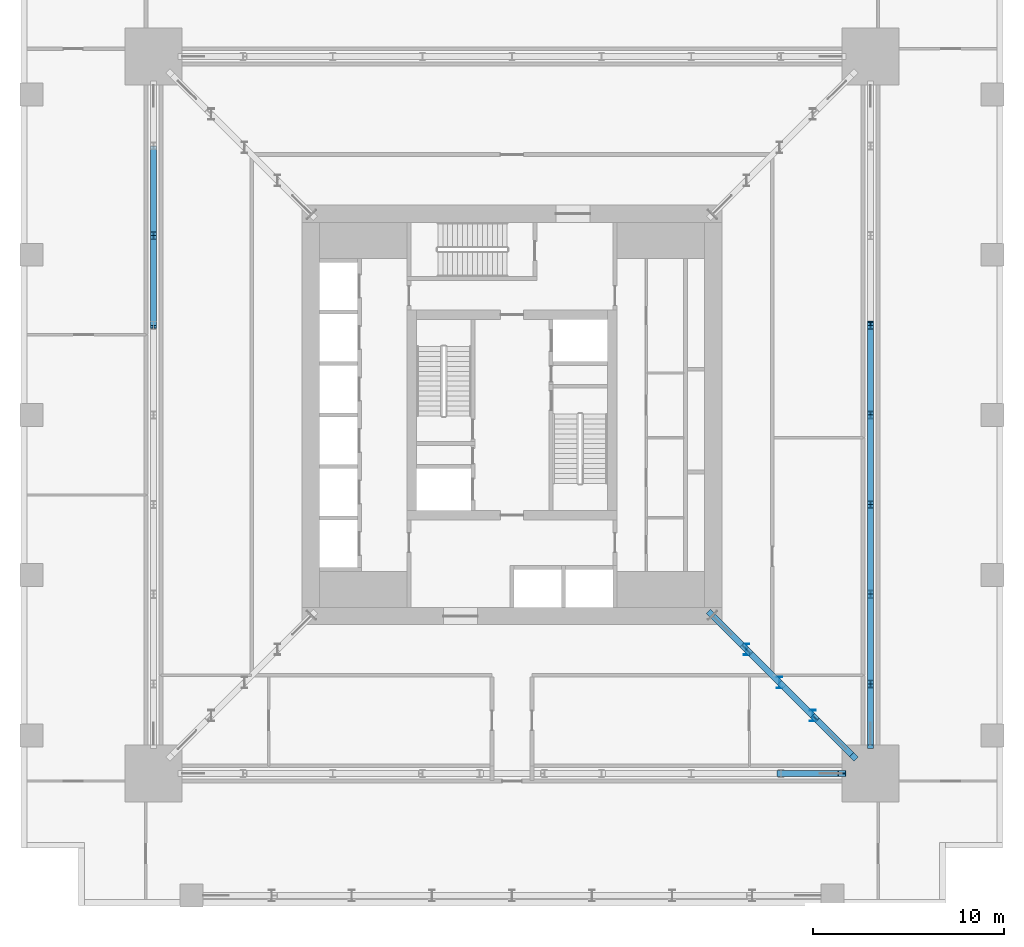
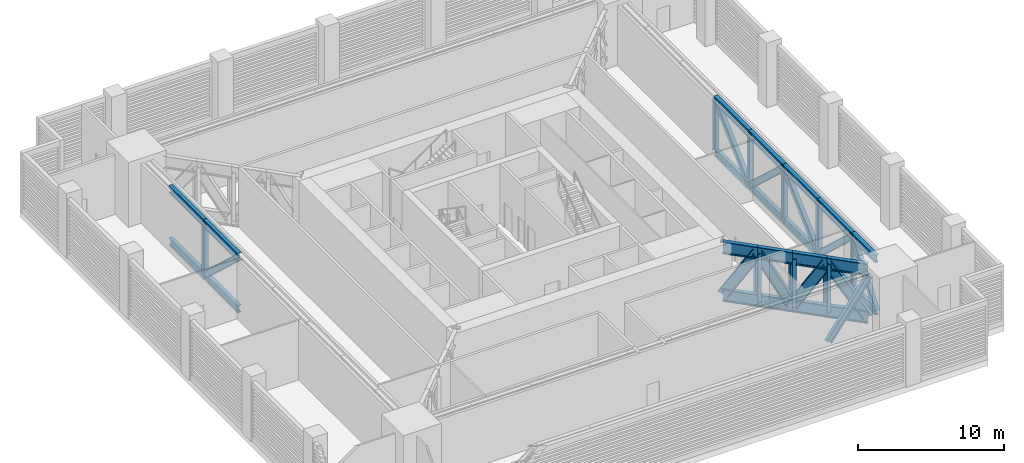
# One storey, part 3 of 17: 42 members.
"""IFC4 building model written with IfcOpenShell, lengths in metres."""

from ifc_helpers import new_model, si_unit, direction, frame, origin, origin_2d, place, context, subcontext, project, spatial, i_section, extrude, material, material_profile, profile_set, type_object, element, save


model = new_model("IFC4")

# Units and contexts
model_context = context("Model", 3, precision=1e-05, world=origin(), true_north=direction((0.0, 1.0)))
body_context = subcontext(model_context, "Body", "Model", "MODEL_VIEW")
ifc_project = project(units=[si_unit("LENGTHUNIT", "METRE"), si_unit("AREAUNIT", "SQUARE_METRE"), si_unit("VOLUMEUNIT", "CUBIC_METRE"), si_unit("PLANEANGLEUNIT", "RADIAN"), si_unit("MASSUNIT", "GRAM", prefix="KILO")], contexts=[model_context])

# Site, building, storey
site_placement = place(None, origin())
site = spatial("IfcSite", under=ifc_project, at=site_placement, CompositionType="ELEMENT")
building_placement = place(site_placement, origin())
building = spatial("IfcBuilding", under=site, at=building_placement, Name="Khepri Terraces", CompositionType="ELEMENT")
storey_placement = place(building_placement, frame((0.0, 0.0, 73.800048828125)))
storey = spatial("IfcBuildingStorey", under=building, at=storey_placement, Name="L17", CompositionType="ELEMENT", Elevation=73.800048828125)

# Members
ifc_material = material(Name="Steel S355", Category="steel")
ifc_material_profile_1 = material_profile(ifc_material, i_section(OverallWidth=0.304931640625, OverallDepth=0.6201171875, WebThickness=0.02099609375, FlangeThickness=0.0400390625, FilletRadius=0.027099609375, at=origin_2d()), Name="Steel S355", Category="steel")
ifc_profile_set_1 = profile_set([ifc_material_profile_1], Name="Steel S355")
member_type_1 = type_object("IfcMemberType", Name="Belt truss chord HEM 600", PredefinedType="CHORD", material=ifc_profile_set_1)
for number, where, z_axis, x_axis, name in (
    (1, (18.800048828125, -17.300048828125, 0.31005859375), (0.0, 1.0, 0.0), (-1.0, 0.0, 0.0), "Belt truss chord BT-17-E bottom 1"),
    (2, (18.800048828125, -17.300048828125, 4.669921875), (0.0, 1.0, 0.0), (-1.0, 0.0, 0.0), "Belt truss chord BT-17-E top 1"),
):
    element("IfcMember", number, at=place(storey_placement, frame(where, z_axis=z_axis, x_axis=x_axis)), inside=storey, type_object=member_type_1, Name=name, PredefinedType="CHORD", context=body_context, shape_type="SweptSolid", body=[
        extrude(i_section(OverallWidth=0.304931640625, OverallDepth=0.6201171875, WebThickness=0.02099609375, FlangeThickness=0.0400390625, FilletRadius=0.027099609375, at=origin_2d()), origin(), (0.0, 0.0, 1.0), 3.199951171875),
    ])
for number, where, z_axis, x_axis, name in (
    (3, (18.800048828125, -14.10009765625, 0.31005859375), (0.0, 1.0, 0.0), (-1.0, 0.0, 0.0), "Belt truss chord BT-17-E bottom 2"),
    (4, (18.800048828125, -14.10009765625, 4.669921875), (0.0, 1.0, 0.0), (-1.0, 0.0, 0.0), "Belt truss chord BT-17-E top 2"),
):
    element("IfcMember", number, at=place(storey_placement, frame(where, z_axis=z_axis, x_axis=x_axis)), inside=storey, type_object=member_type_1, Name=name, PredefinedType="CHORD", context=body_context, shape_type="SweptSolid", body=[
        extrude(i_section(OverallWidth=0.304931640625, OverallDepth=0.6201171875, WebThickness=0.02099609375, FlangeThickness=0.0400390625, FilletRadius=0.027099609375, at=origin_2d()), origin(), (0.0, 0.0, 1.0), 4.7001953125),
    ])
for number, where, z_axis, x_axis, name in (
    (5, (18.800048828125, -9.39990234375, 0.31005859375), (0.0, 1.0, 0.0), (-1.0, 0.0, 0.0), "Belt truss chord BT-17-E bottom 3"),
    (6, (18.800048828125, -9.39990234375, 4.669921875), (0.0, 1.0, 0.0), (-1.0, 0.0, 0.0), "Belt truss chord BT-17-E top 3"),
    (7, (18.800048828125, -4.699951171875, 0.31005859375), (0.0, 1.0, 0.0), (-1.0, 0.0, 0.0), "Belt truss chord BT-17-E bottom 4"),
    (8, (18.800048828125, -4.699951171875, 4.669921875), (0.0, 1.0, 0.0), (-1.0, 0.0, 0.0), "Belt truss chord BT-17-E top 4"),
    (9, (18.800048828125, 0.0, 0.31005859375), (0.0, 1.0, 0.0), (-1.0, 0.0, 0.0), "Belt truss chord BT-17-E bottom 5"),
    (10, (18.800048828125, 0.0, 4.669921875), (0.0, 1.0, 0.0), (-1.0, 0.0, 0.0), "Belt truss chord BT-17-E top 5"),
):
    element("IfcMember", number, at=place(storey_placement, frame(where, z_axis=z_axis, x_axis=x_axis)), inside=storey, type_object=member_type_1, Name=name, PredefinedType="CHORD", context=body_context, shape_type="SweptSolid", body=[
        extrude(i_section(OverallWidth=0.304931640625, OverallDepth=0.6201171875, WebThickness=0.02099609375, FlangeThickness=0.0400390625, FilletRadius=0.027099609375, at=origin_2d()), origin(), (0.0, 0.0, 1.0), 4.699951171875),
    ])
for number, where, z_axis, x_axis, name in (
    (11, (-18.800048828125, 14.10009765625, 0.31005859375), (0.0, -1.0, 0.0), (1.0, 0.0, 0.0), "Belt truss chord BT-17-W bottom 2"),
    (12, (-18.800048828125, 14.10009765625, 4.669921875), (0.0, -1.0, 0.0), (1.0, 0.0, 0.0), "Belt truss chord BT-17-W top 2"),
):
    element("IfcMember", number, at=place(storey_placement, frame(where, z_axis=z_axis, x_axis=x_axis)), inside=storey, type_object=member_type_1, Name=name, PredefinedType="CHORD", context=body_context, shape_type="SweptSolid", body=[
        extrude(i_section(OverallWidth=0.304931640625, OverallDepth=0.6201171875, WebThickness=0.02099609375, FlangeThickness=0.0400390625, FilletRadius=0.027099609375, at=origin_2d()), origin(), (0.0, 0.0, 1.0), 4.7001953125),
    ])
for number, where, z_axis, x_axis, name in (
    (13, (-18.800048828125, 9.39990234375, 0.31005859375), (0.0, -1.0, 0.0), (1.0, 0.0, 0.0), "Belt truss chord BT-17-W bottom 3"),
    (14, (-18.800048828125, 9.39990234375, 4.669921875), (0.0, -1.0, 0.0), (1.0, 0.0, 0.0), "Belt truss chord BT-17-W top 3"),
):
    element("IfcMember", number, at=place(storey_placement, frame(where, z_axis=z_axis, x_axis=x_axis)), inside=storey, type_object=member_type_1, Name=name, PredefinedType="CHORD", context=body_context, shape_type="SweptSolid", body=[
        extrude(i_section(OverallWidth=0.304931640625, OverallDepth=0.6201171875, WebThickness=0.02099609375, FlangeThickness=0.0400390625, FilletRadius=0.027099609375, at=origin_2d()), origin(), (0.0, 0.0, 1.0), 4.699951171875),
    ])
ifc_material_profile_2 = material_profile(ifc_material, i_section(OverallWidth=0.300048828125, OverallDepth=0.5, WebThickness=0.014404296875, FlangeThickness=0.028076171875, FilletRadius=0.027099609375, at=origin_2d()), Name="Steel S355", Category="steel")
ifc_profile_set_2 = profile_set([ifc_material_profile_2], Name="Steel S355")
member_type_2 = type_object("IfcMemberType", Name="Belt truss diagonal HEB 500", PredefinedType="BRACE", material=ifc_profile_set_2)
for number, where, z_axis, x_axis, name in (
    (15, (14.10009765625, -18.800048828125, 0.31005859375), (0.591690445791, 0.0, 0.806165253753), (0.0, 1.0, 0.0), "Belt truss diagonal BT-17-S 9"),
    (16, (18.800048828125, -17.300048828125, 0.31005859375), (0.0, 0.591690445791, 0.806165253753), (-1.0, 0.0, 0.0), "Belt truss diagonal BT-17-E 1"),
):
    element("IfcMember", number, at=place(storey_placement, frame(where, z_axis=z_axis, x_axis=x_axis)), inside=storey, type_object=member_type_2, Name=name, PredefinedType="BRACE", context=body_context, shape_type="SweptSolid", body=[
        extrude(i_section(OverallWidth=0.300048828125, OverallDepth=0.5, WebThickness=0.014404296875, FlangeThickness=0.028076171875, FilletRadius=0.027099609375, at=origin_2d()), origin(), (0.0, 0.0, 1.0), 5.408203125),
    ])
for number, where, z_axis, x_axis, name in (
    (17, (18.800048828125, -14.10009765625, 4.669921875), (0.0, 0.733151463736, -0.680065387461), (-1.0, 0.0, 0.0), "Belt truss diagonal BT-17-E 2"),
    (18, (18.800048828125, -9.39990234375, 0.31005859375), (0.0, 0.733133850572, 0.68008437502), (-1.0, 0.0, 0.0), "Belt truss diagonal BT-17-E 3"),
    (19, (18.800048828125, -4.699951171875, 4.669921875), (0.0, 0.733133850572, -0.68008437502), (-1.0, 0.0, 0.0), "Belt truss diagonal BT-17-E 4"),
    (20, (18.800048828125, 0.0, 0.31005859375), (0.0, 0.733133850572, 0.68008437502), (-1.0, 0.0, 0.0), "Belt truss diagonal BT-17-E 5"),
    (21, (-18.800048828125, 9.39990234375, 0.31005859375), (0.0, -0.733133850572, 0.68008437502), (1.0, 0.0, 0.0), "Belt truss diagonal BT-17-W 3"),
):
    element("IfcMember", number, at=place(storey_placement, frame(where, z_axis=z_axis, x_axis=x_axis)), inside=storey, type_object=member_type_2, Name=name, PredefinedType="BRACE", context=body_context, shape_type="SweptSolid", body=[
        extrude(i_section(OverallWidth=0.300048828125, OverallDepth=0.5, WebThickness=0.014404296875, FlangeThickness=0.028076171875, FilletRadius=0.027099609375, at=origin_2d()), origin(), (0.0, 0.0, 1.0), 6.410888671875),
    ])
ifc_material_profile_3 = material_profile(ifc_material, i_section(OverallWidth=0.300048828125, OverallDepth=0.39990234375, WebThickness=0.013427734375, FlangeThickness=0.02392578125, FilletRadius=0.027099609375, at=origin_2d()), Name="Steel S355", Category="steel")
ifc_profile_set_3 = profile_set([ifc_material_profile_3], Name="Steel S355")
member_type_3 = type_object("IfcMemberType", Name="Belt truss post HEB 400", PredefinedType="POST", material=ifc_profile_set_3)
for number, where, z_axis, x_axis, name in (
    (22, (18.800048828125, -14.10009765625, 0.31005859375), (0.0, 0.0, 1.0), (1.0, 0.0, 0.0), "Belt truss post BT-17-E 1"),
    (23, (18.800048828125, -9.39990234375, 0.31005859375), (0.0, 0.0, 1.0), (1.0, 0.0, 0.0), "Belt truss post BT-17-E 2"),
    (24, (18.800048828125, -4.699951171875, 0.31005859375), (0.0, 0.0, 1.0), (1.0, 0.0, 0.0), "Belt truss post BT-17-E 3"),
    (25, (18.800048828125, 0.0, 0.31005859375), (0.0, 0.0, 1.0), (1.0, 0.0, 0.0), "Belt truss post BT-17-E 4"),
    (26, (18.800048828125, 4.699951171875, 0.31005859375), (0.0, 0.0, 1.0), (1.0, 0.0, 0.0), "Belt truss post BT-17-E 5"),
    (27, (-18.800048828125, 9.39990234375, 0.31005859375), (0.0, 0.0, 1.0), (1.0, 0.0, 0.0), "Belt truss post BT-17-W 2"),
):
    element("IfcMember", number, at=place(storey_placement, frame(where, z_axis=z_axis, x_axis=x_axis)), inside=storey, type_object=member_type_3, Name=name, PredefinedType="POST", context=body_context, shape_type="SweptSolid", body=[
        extrude(i_section(OverallWidth=0.300048828125, OverallDepth=0.39990234375, WebThickness=0.013427734375, FlangeThickness=0.02392578125, FilletRadius=0.027099609375, at=origin_2d()), origin(), (0.0, 0.0, 1.0), 4.35986328125),
    ])
ifc_material_profile_4 = material_profile(ifc_material, i_section(OverallWidth=0.302001953125, OverallDepth=1.008056640625, WebThickness=0.02099609375, FlangeThickness=0.0400390625, FilletRadius=0.030029296875, at=origin_2d()), Name="Steel S355", Category="steel")
ifc_profile_set_4 = profile_set([ifc_material_profile_4], Name="Steel S355")
member_type_4 = type_object("IfcMemberType", Name="Outrigger chord HEM 1000", PredefinedType="CHORD", material=ifc_profile_set_4)
for number, where, z_axis, x_axis, name in (
    (28, (10.550048828125, -10.550048828125, 0.50390625), (0.707106781187, -0.707106781187, 0.0), (0.707106781187, 0.707106781187, 0.0), "Outrigger chord OT-17-ES bottom 1"),
    (29, (10.550048828125, -10.550048828125, 4.475830078125), (0.707106781187, -0.707106781187, 0.0), (0.707106781187, 0.707106781187, 0.0), "Outrigger chord OT-17-ES top 1"),
    (30, (12.29052734375, -12.29052734375, 0.50390625), (0.707106781187, -0.707106781187, 0.0), (0.707106781187, 0.707106781187, 0.0), "Outrigger chord OT-17-ES bottom 2"),
    (31, (12.29052734375, -12.29052734375, 4.475830078125), (0.707106781187, -0.707106781187, 0.0), (0.707106781187, 0.707106781187, 0.0), "Outrigger chord OT-17-ES top 2"),
    (32, (14.031005859375, -14.031005859375, 0.50390625), (0.707106781187, -0.707106781187, 0.0), (0.707106781187, 0.707106781187, 0.0), "Outrigger chord OT-17-ES bottom 3"),
    (33, (14.031005859375, -14.031005859375, 4.475830078125), (0.707106781187, -0.707106781187, 0.0), (0.707106781187, 0.707106781187, 0.0), "Outrigger chord OT-17-ES top 3"),
):
    element("IfcMember", number, at=place(storey_placement, frame(where, z_axis=z_axis, x_axis=x_axis)), inside=storey, type_object=member_type_4, Name=name, PredefinedType="CHORD", context=body_context, shape_type="SweptSolid", body=[
        extrude(i_section(OverallWidth=0.302001953125, OverallDepth=1.008056640625, WebThickness=0.02099609375, FlangeThickness=0.0400390625, FilletRadius=0.030029296875, at=origin_2d()), origin(), (0.0, 0.0, 1.0), 2.46142578125),
    ])
for number, where, z_axis, x_axis, name in (
    (34, (15.771484375, -15.771484375, 0.50390625), (0.707106781187, -0.707106781187, 0.0), (0.707106781187, 0.707106781187, 0.0), "Outrigger chord OT-17-ES bottom 4"),
    (35, (15.771484375, -15.771484375, 4.475830078125), (0.707106781187, -0.707106781187, 0.0), (0.707106781187, 0.707106781187, 0.0), "Outrigger chord OT-17-ES top 4"),
):
    element("IfcMember", number, at=place(storey_placement, frame(where, z_axis=z_axis, x_axis=x_axis)), inside=storey, type_object=member_type_4, Name=name, PredefinedType="CHORD", context=body_context, shape_type="SweptSolid", body=[
        extrude(i_section(OverallWidth=0.302001953125, OverallDepth=1.008056640625, WebThickness=0.02099609375, FlangeThickness=0.0400390625, FilletRadius=0.030029296875, at=origin_2d()), origin(), (0.0, 0.0, 1.0), 2.883056640625),
    ])
ifc_material_profile_5 = material_profile(ifc_material, i_section(OverallWidth=0.302978515625, OverallDepth=0.81396484375, WebThickness=0.02099609375, FlangeThickness=0.0400390625, FilletRadius=0.030029296875, at=origin_2d()), Name="Steel S355", Category="steel")
ifc_profile_set_5 = profile_set([ifc_material_profile_5], Name="Steel S355")
member_type_5 = type_object("IfcMemberType", Name="Outrigger diagonal HEM 800", PredefinedType="BRACE", material=ifc_profile_set_5)
for number, where, z_axis, x_axis, name in (
    (36, (10.550048828125, -10.550048828125, 0.50390625), (0.372473135114, -0.372473135114, 0.850016192338), (0.707106781187, 0.707106781187, 0.0), "Outrigger diagonal OT-17-ES 1"),
    (37, (12.29052734375, -12.29052734375, 4.475830078125), (0.372473135114, -0.372473135114, -0.850016192338), (0.707106781187, 0.707106781187, 0.0), "Outrigger diagonal OT-17-ES 2"),
    (38, (14.031005859375, -14.031005859375, 0.50390625), (0.372473135114, -0.372473135114, 0.850016192338), (0.707106781187, 0.707106781187, 0.0), "Outrigger diagonal OT-17-ES 3"),
):
    element("IfcMember", number, at=place(storey_placement, frame(where, z_axis=z_axis, x_axis=x_axis)), inside=storey, type_object=member_type_5, Name=name, PredefinedType="BRACE", context=body_context, shape_type="SweptSolid", body=[
        extrude(i_section(OverallWidth=0.302978515625, OverallDepth=0.81396484375, WebThickness=0.02099609375, FlangeThickness=0.0400390625, FilletRadius=0.030029296875, at=origin_2d()), origin(), (0.0, 0.0, 1.0), 4.6728515625),
    ])
member_placement = place(storey_placement, frame((15.771484375, -15.771484375, 4.475830078125), z_axis=(0.415363588353, -0.415363588353, -0.809287451367), x_axis=(0.707106781187, 0.707106781187, 0.0)))
element("IfcMember", 39, at=member_placement, inside=storey, type_object=member_type_5, Name="Outrigger diagonal OT-17-ES 4", PredefinedType="BRACE", context=body_context, shape_type="SweptSolid", body=[
    extrude(i_section(OverallWidth=0.302978515625, OverallDepth=0.81396484375, WebThickness=0.02099609375, FlangeThickness=0.0400390625, FilletRadius=0.030029296875, at=origin_2d()), origin(), (0.0, 0.0, 1.0), 4.907958984375),
])
ifc_material_profile_6 = material_profile(ifc_material, i_section(OverallWidth=0.300048828125, OverallDepth=0.60009765625, WebThickness=0.015380859375, FlangeThickness=0.030029296875, FilletRadius=0.027099609375, at=origin_2d()), Name="Steel S355", Category="steel")
ifc_profile_set_6 = profile_set([ifc_material_profile_6], Name="Steel S355")
member_type_6 = type_object("IfcMemberType", Name="Outrigger post HEB 600", PredefinedType="POST", material=ifc_profile_set_6)
for number, where, z_axis, x_axis, name in (
    (40, (12.29052734375, -12.29052734375, 0.50390625), (0.0, 0.0, 1.0), (1.0, 0.0, 0.0), "Outrigger post OT-17-ES 1"),
    (41, (14.031005859375, -14.031005859375, 0.50390625), (0.0, 0.0, 1.0), (1.0, 0.0, 0.0), "Outrigger post OT-17-ES 2"),
    (42, (15.771484375, -15.771484375, 0.50390625), (0.0, 0.0, 1.0), (1.0, 0.0, 0.0), "Outrigger post OT-17-ES 3"),
):
    element("IfcMember", number, at=place(storey_placement, frame(where, z_axis=z_axis, x_axis=x_axis)), inside=storey, type_object=member_type_6, Name=name, PredefinedType="POST", context=body_context, shape_type="SweptSolid", body=[
        extrude(i_section(OverallWidth=0.300048828125, OverallDepth=0.60009765625, WebThickness=0.015380859375, FlangeThickness=0.030029296875, FilletRadius=0.027099609375, at=origin_2d()), origin(), (0.0, 0.0, 1.0), 3.971923828125),
    ])

save(model, "model.ifc")
